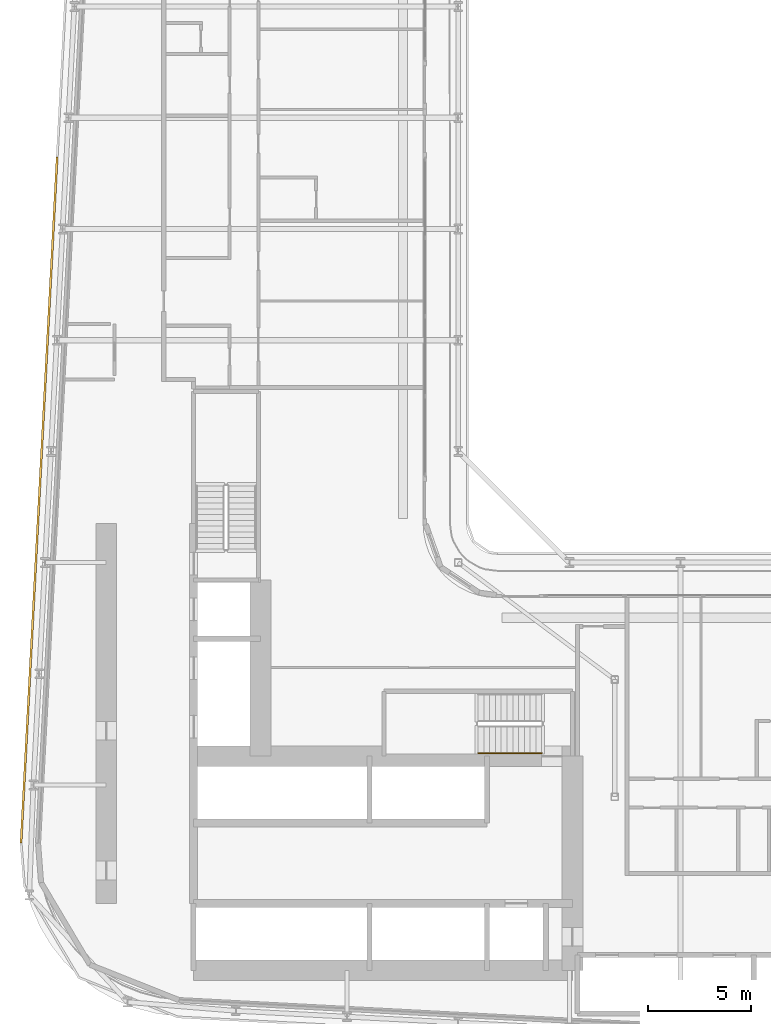
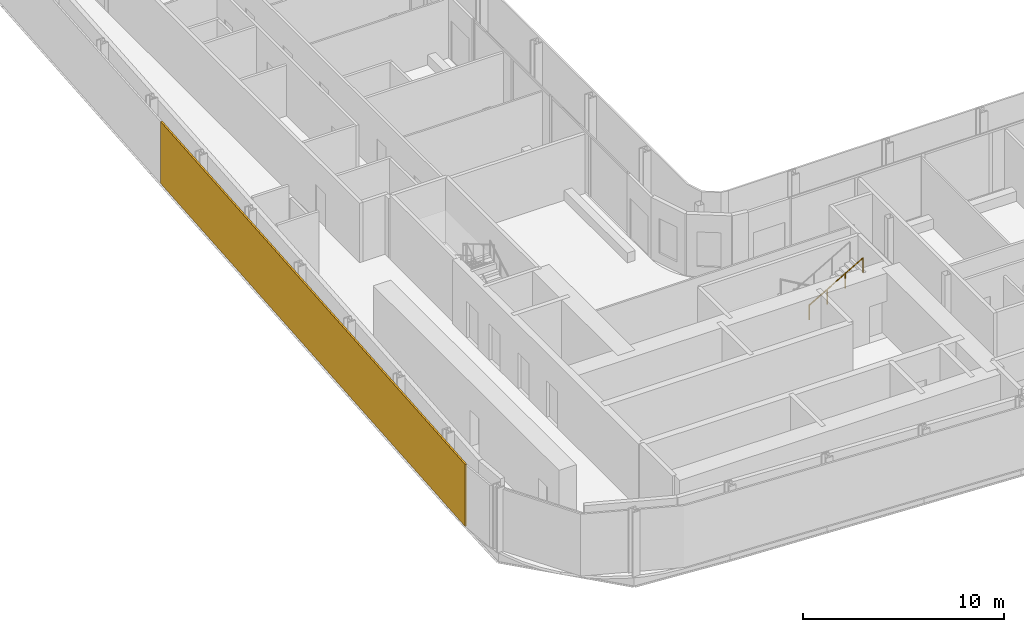
# One storey, part 23 of 29: 1 railing, 1 shading device.
"""IFC4 building model written with IfcOpenShell, lengths in metres."""

from ifc_helpers import new_model, si_unit, direction, frame, origin, origin_2d, place, context, subcontext, project, spatial, rectangle, circle, extrude, material, layer, layer_set, type_object, element, save


model = new_model("IFC4")

# Units and contexts
model_context = context("Model", 3, precision=1e-05, world=origin(), true_north=direction((0.0, 1.0)))
body_context = subcontext(model_context, "Body", "Model", "MODEL_VIEW")
ifc_project = project(units=[si_unit("LENGTHUNIT", "METRE"), si_unit("AREAUNIT", "SQUARE_METRE"), si_unit("VOLUMEUNIT", "CUBIC_METRE"), si_unit("PLANEANGLEUNIT", "RADIAN"), si_unit("MASSUNIT", "GRAM", prefix="KILO")], contexts=[model_context])

# Site, building, storey
site_placement = place(None, origin())
site = spatial("IfcSite", under=ifc_project, at=site_placement, CompositionType="ELEMENT")
building_placement = place(site_placement, origin())
building = spatial("IfcBuilding", under=site, at=building_placement, Name="Kheshtan School and Residences Tower", CompositionType="ELEMENT")
storey_placement = place(building_placement, frame((0.0, 0.0, 65.60009765625)))
storey = spatial("IfcBuildingStorey", under=building, at=storey_placement, Name="L15", CompositionType="ELEMENT", Elevation=65.60009765625)

# Shading device
ifc_material_1 = material(Name="Terracotta baguette, extruded ceramic", Category="masonry")
ifc_layer = layer(ifc_material_1, 0.10009765625)
ifc_layer_set = layer_set([ifc_layer], Name="Ledge screen, terracotta baguettes")
shading_device_type = type_object("IfcShadingDeviceType", Name="Ledge screen, terracotta baguettes", PredefinedType="USERDEFINED", material=ifc_layer_set)
shading_device_placement = place(storey_placement, frame((27.24609375, 48.638916015625, 0.0), z_axis=(0.0, 0.0, 1.0), x_axis=(0.052562536748, 0.998617634398, 0.0)))
element("IfcShadingDevice", 1, at=shading_device_placement, inside=storey, type_object=shading_device_type, Name="Screen L15 4", ObjectType="BAGUETTE", PredefinedType="USERDEFINED", context=body_context, shape_type="SweptSolid", body=[
    extrude(rectangle(XDim=33.341064453125, YDim=0.10009765625, at=origin_2d()), origin(), (0.0, 0.0, 1.0), 3.75),
])

# Railing
ifc_material_2 = material(Name="Stainless steel handrail", Category="steel")
railing_type = type_object("IfcRailingType", Name="Stair handrail 900", PredefinedType="HANDRAIL", material=ifc_material_2)
railing_placement = place(storey_placement, frame((48.570068359375, 36.35009765625, 2.1123046875)))
element("IfcRailing", 2, at=railing_placement, inside=storey, type_object=railing_type, Name="L15 ST1 stair handrail 2", PredefinedType="HANDRAIL", context=body_context, shape_type="SweptSolid", body=[
    extrude(circle(Radius=0.02392578125, at=origin_2d()), frame((0.0, 0.0, 0.8759765625), z_axis=(0.864873446163, 0.0, 0.501989962173), x_axis=(0.0, 1.0, 0.0)), (0.0, 0.0, 1.0), 3.56103515625),
    extrude(circle(Radius=0.02099609375, at=origin_2d()), origin(), (0.0, 0.0, 1.0), 0.851806640625),
    extrude(circle(Radius=0.02099609375, at=origin_2d()), frame((1.026611328125, 0.0, 0.595947265625)), (0.0, 0.0, 1.0), 0.851806640625),
    extrude(circle(Radius=0.02099609375, at=origin_2d()), frame((2.05322265625, 0.0, 1.191650390625)), (0.0, 0.0, 1.0), 0.851806640625),
    extrude(circle(Radius=0.02099609375, at=origin_2d()), frame((3.079833984375, 0.0, 1.78759765625)), (0.0, 0.0, 1.0), 0.851806640625),
])

save(model, "model.ifc")
